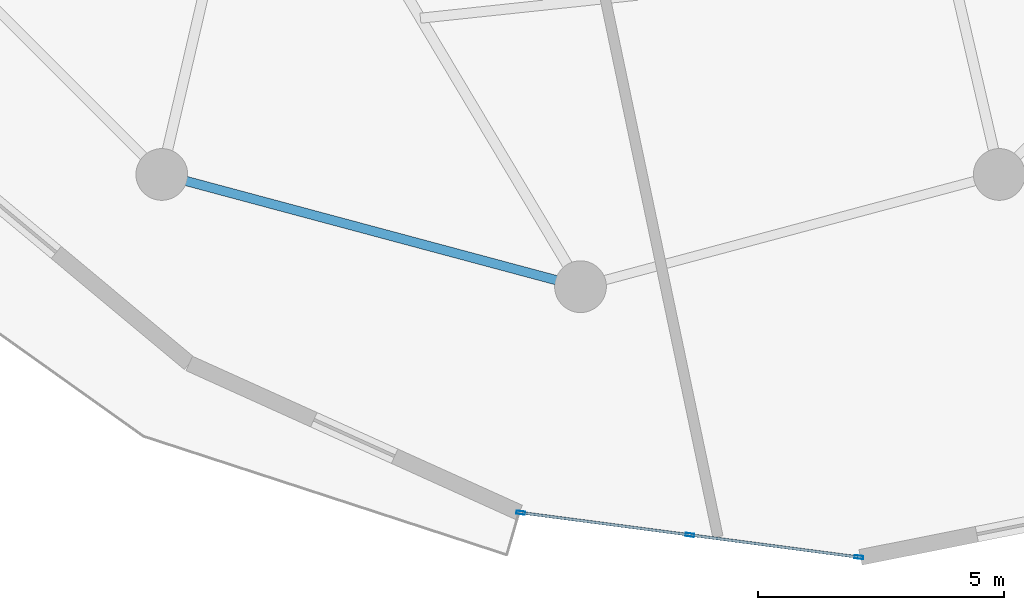
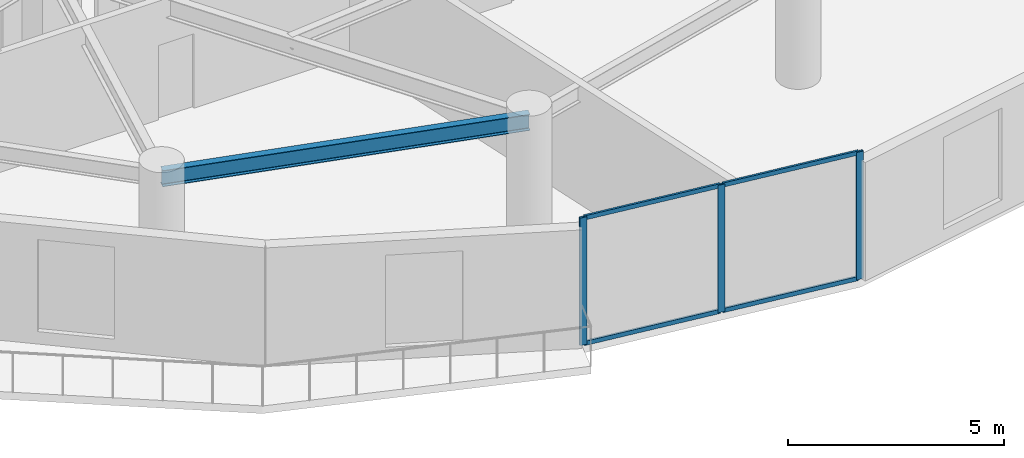
# One storey, part 2 of 22: 7 members, 1 beam, 1 element without a shape of its own.
"""IFC4 building model written with IfcOpenShell, lengths in metres."""

from ifc_helpers import new_model, si_unit, direction, frame, origin, origin_2d, place, context, subcontext, project, spatial, hollow_rectangle, i_section, extrude, source, transform, mapped, material, layer, layer_set, material_profile, profile_set, type_object, element, aggregate, save


model = new_model("IFC4")

# Units and contexts
model_context = context("Model", 3, precision=1e-05, world=origin(), true_north=direction((0.0, 1.0)))
body_context = subcontext(model_context, "Body", "Model", "MODEL_VIEW")
ifc_project = project(units=[si_unit("LENGTHUNIT", "METRE"), si_unit("AREAUNIT", "SQUARE_METRE"), si_unit("VOLUMEUNIT", "CUBIC_METRE"), si_unit("PLANEANGLEUNIT", "RADIAN"), si_unit("MASSUNIT", "GRAM", prefix="KILO")], contexts=[model_context])

# Site, building, storey
site_placement = place(None, origin())
site = spatial("IfcSite", under=ifc_project, at=site_placement, CompositionType="ELEMENT")
building_placement = place(site_placement, origin())
building = spatial("IfcBuilding", under=site, at=building_placement, Name="Solvirekh Grand Hotel", CompositionType="ELEMENT")
storey_placement = place(building_placement, frame((0.0, 0.0, 153.0)))
storey = spatial("IfcBuildingStorey", under=building, at=storey_placement, Name="L39", CompositionType="ELEMENT", Elevation=153.0)

# Beam
ifc_material_1 = material(Name="Steel S355", Category="steel")
ifc_material_profile_1 = material_profile(ifc_material_1, i_section(OverallWidth=0.18994140625, OverallDepth=0.45703125, WebThickness=0.009033203125, FlangeThickness=0.013916015625, FilletRadius=0.012939453125, at=origin_2d()), Name="W460X74")
ifc_profile_set_1 = profile_set([ifc_material_profile_1], Name="Steel S355")
beam_type = type_object("IfcBeamType", Name="Spandrel_Ring_W460", PredefinedType="SPANDREL", material=ifc_profile_set_1)
beam_placement = place(storey_placement, frame((-8.5, -14.721923828125, 3.12109375), z_axis=(0.965911391906, -0.258872908946, 0.0), x_axis=(0.258872908946, 0.965911391906, 0.0)))
element("IfcBeam", 1, at=beam_placement, inside=storey, type_object=beam_type, Name="L39 perimeter spandrel beam 9", PredefinedType="SPANDREL", context=body_context, shape_type="SweptSolid", body=[
    extrude(i_section(OverallWidth=0.18994140625, OverallDepth=0.45703125, WebThickness=0.009033203125, FlangeThickness=0.013916015625, FilletRadius=0.012939453125, at=origin_2d()), origin(), (0.0, 0.0, 1.0), 8.800048828125),
])

# Curtain wall, members
ifc_material_2 = material(Name="Anodized Bronze Aluminium 6063-T6", Category="aluminium")
ifc_layer = layer(ifc_material_2, 0.175048828125)
ifc_layer_set = layer_set([ifc_layer], Name="Anodized Bronze Aluminium 6063-T6")
curtain_wall_type = type_object("IfcCurtainWallType", Name="CW_Sys3_MidZoneFlushBronzeCW", PredefinedType="NOTDEFINED", material=ifc_layer_set)
curtain_wall_placement = place(storey_placement, origin())
curtain_wall = element("IfcCurtainWall", 2, at=curtain_wall_placement, inside=storey, type_object=curtain_wall_type, Name="L39 unitised bronze-glass curtain wall CW-L39-C18", PredefinedType="NOTDEFINED")
ifc_material_profile_2 = material_profile(ifc_material_2, hollow_rectangle(XDim=0.06494140625, YDim=0.175048828125, WallThickness=0.0048828125, at=origin_2d()), Name="ALU RHS 175X65X5")
ifc_profile_set_2 = profile_set([ifc_material_profile_2], Name="Anodized Bronze Aluminium 6063-T6")
member_type_1 = type_object("IfcMemberType", Name="CWMullion_Sys3", PredefinedType="MULLION", material=ifc_profile_set_2)
shared_shape_1 = source(origin(), body_context, "Body", "SweptSolid", [
    extrude(hollow_rectangle(XDim=0.06494140625, YDim=0.175048828125, WallThickness=0.0048828125, at=origin_2d()), origin(), (0.0, 0.0, 1.0), 3.60009765625),
])
member_1_placement = place(storey_placement, frame((-1.2138671875, -21.587158203125, 0.0), z_axis=(0.0, 0.0, 1.0), x_axis=(0.130476717564, 0.99145137358, 0.0)))
member_1 = element("IfcMember", 3, at=member_1_placement, type_object=member_type_1, Name="U03 mullion 1", PredefinedType="MULLION", context=body_context, shape_type="MappedRepresentation", body=[
    mapped(shared_shape_1, transform((0.0, 0.0, 0.0), x_axis=(1.0, 0.0, 0.0), y_axis=(0.0, 1.0, 0.0), z_axis=(0.0, 0.0, 1.0), scale=1.0)),
])
member_2_placement = place(storey_placement, frame((2.218994140625, -22.0390625, 0.0), z_axis=(0.0, 0.0, 1.0), x_axis=(0.130476717564, 0.99145137358, 0.0)))
member_2 = element("IfcMember", 4, at=member_2_placement, type_object=member_type_1, Name="U03 mullion 2", PredefinedType="MULLION", context=body_context, shape_type="MappedRepresentation", body=[
    mapped(shared_shape_1, transform((0.0, 0.0, 0.0), x_axis=(1.0, 0.0, 0.0), y_axis=(0.0, 1.0, 0.0), z_axis=(0.0, 0.0, 1.0), scale=1.0)),
])
member_3_placement = place(storey_placement, frame((5.65185546875, -22.49072265625, 0.0), z_axis=(0.0, 0.0, 1.0), x_axis=(0.130476717564, 0.99145137358, 0.0)))
member_3 = element("IfcMember", 5, at=member_3_placement, type_object=member_type_1, Name="U03 mullion 3", PredefinedType="MULLION", context=body_context, shape_type="MappedRepresentation", body=[
    mapped(shared_shape_1, transform((0.0, 0.0, 0.0), x_axis=(1.0, 0.0, 0.0), y_axis=(0.0, 1.0, 0.0), z_axis=(0.0, 0.0, 1.0), scale=1.0)),
])
ifc_material_profile_3 = material_profile(ifc_material_2, hollow_rectangle(XDim=0.054931640625, YDim=0.1201171875, WallThickness=0.00390625, at=origin_2d()), Name="ALU RHS 120X55X4")
ifc_profile_set_3 = profile_set([ifc_material_profile_3], Name="Anodized Bronze Aluminium 6063-T6")
member_type_2 = type_object("IfcMemberType", Name="CWTransom_Sys3", PredefinedType="USERDEFINED", material=ifc_profile_set_3)
shared_shape_2 = source(origin(), body_context, "Body", "SweptSolid", [
    extrude(hollow_rectangle(XDim=0.054931640625, YDim=0.1201171875, WallThickness=0.00390625, at=origin_2d()), origin(), (0.0, 0.0, 1.0), 3.3974609375),
])
member_4_placement = place(storey_placement, frame((-1.181640625, -21.591552734375, 0.027587890625), z_axis=(0.991457963993, -0.130426629314, 0.0), x_axis=(0.130426629314, 0.991457963993, 0.0)))
member_4 = element("IfcMember", 6, at=member_4_placement, type_object=member_type_2, Name="U03 transom 1.1", ObjectType="TRANSOM", PredefinedType="USERDEFINED", context=body_context, shape_type="MappedRepresentation", body=[
    mapped(shared_shape_2, transform((0.0, 0.0, 0.0), x_axis=(1.0, 0.0, 0.0), y_axis=(0.0, 1.0, 0.0), z_axis=(0.0, 0.0, 1.0), scale=1.0)),
])
member_5_placement = place(storey_placement, frame((-1.181640625, -21.591552734375, 3.572509765625), z_axis=(0.991457963993, -0.130426629314, 0.0), x_axis=(0.130426629314, 0.991457963993, 0.0)))
member_5 = element("IfcMember", 7, at=member_5_placement, type_object=member_type_2, Name="U03 transom 1.2", ObjectType="TRANSOM", PredefinedType="USERDEFINED", context=body_context, shape_type="MappedRepresentation", body=[
    mapped(shared_shape_2, transform((0.0, 0.0, 0.0), x_axis=(1.0, 0.0, 0.0), y_axis=(0.0, 1.0, 0.0), z_axis=(0.0, 0.0, 1.0), scale=1.0)),
])
member_6_placement = place(storey_placement, frame((2.251220703125, -22.043212890625, 0.027587890625), z_axis=(0.991448669114, -0.130497266298, 0.0), x_axis=(0.130497266298, 0.991448669114, 0.0)))
member_6 = element("IfcMember", 8, at=member_6_placement, type_object=member_type_2, Name="U03 transom 2.1", ObjectType="TRANSOM", PredefinedType="USERDEFINED", context=body_context, shape_type="MappedRepresentation", body=[
    mapped(shared_shape_2, transform((0.0, 0.0, 0.0), x_axis=(1.0, 0.0, 0.0), y_axis=(0.0, 1.0, 0.0), z_axis=(0.0, 0.0, 1.0), scale=1.0)),
])
member_7_placement = place(storey_placement, frame((2.251220703125, -22.043212890625, 3.572509765625), z_axis=(0.991448669114, -0.130497266298, 0.0), x_axis=(0.130497266298, 0.991448669114, 0.0)))
member_7 = element("IfcMember", 9, at=member_7_placement, type_object=member_type_2, Name="U03 transom 2.2", ObjectType="TRANSOM", PredefinedType="USERDEFINED", context=body_context, shape_type="MappedRepresentation", body=[
    mapped(shared_shape_2, transform((0.0, 0.0, 0.0), x_axis=(1.0, 0.0, 0.0), y_axis=(0.0, 1.0, 0.0), z_axis=(0.0, 0.0, 1.0), scale=1.0)),
])
aggregate(curtain_wall, [member_1, member_2, member_3, member_4, member_5, member_6, member_7])

save(model, "model.ifc")
